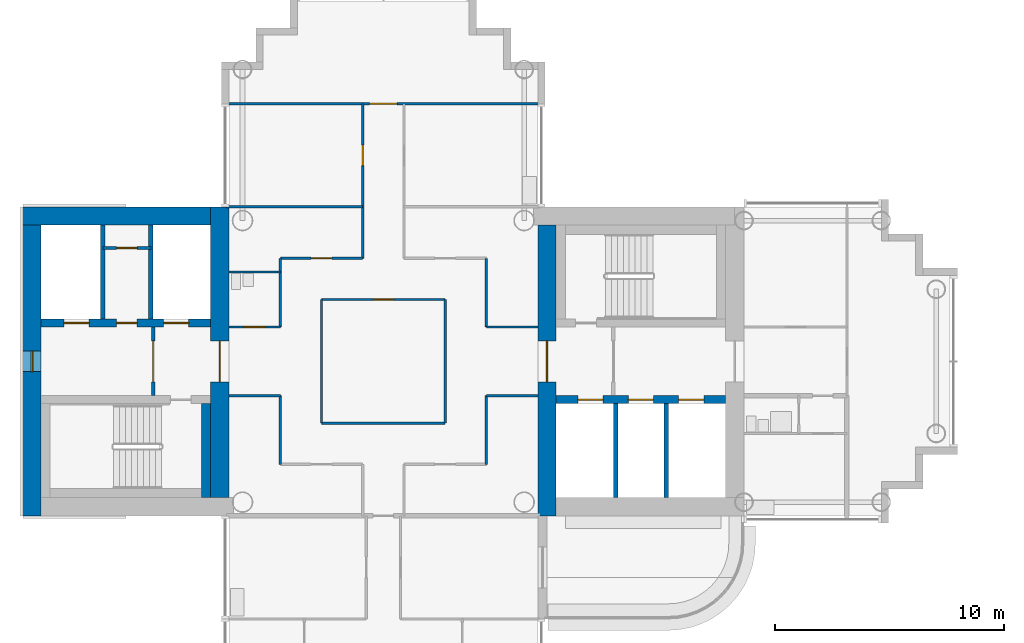
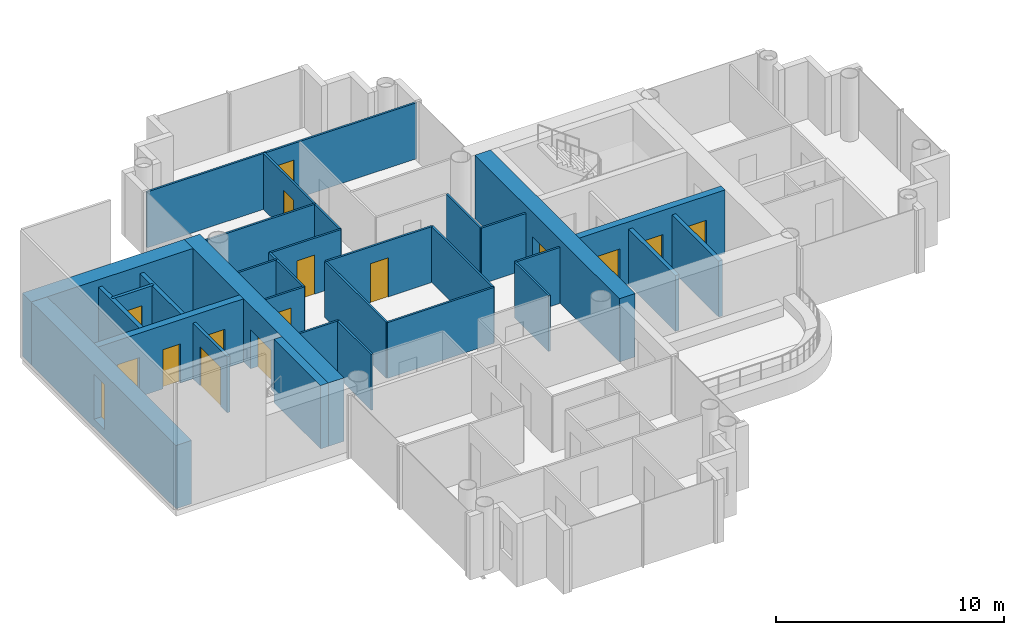
# One storey, part 8 of 19: 30 walls, 15 doors, 1 window, 16 openings.
"""IFC4 building model written with IfcOpenShell, lengths in metres."""

from ifc_helpers import new_model, si_unit, direction, frame, frame_2d, origin, place, context, subcontext, project, spatial, rectangle, extrude, material, layer, layer_set, type_object, element, fill, save


model = new_model("IFC4")

# Units and contexts
model_context = context("Model", 3, precision=1e-05, world=origin(), true_north=direction((0.0, 1.0)))
body_context = subcontext(model_context, "Body", "Model", "MODEL_VIEW")
ifc_project = project(units=[si_unit("LENGTHUNIT", "METRE"), si_unit("AREAUNIT", "SQUARE_METRE"), si_unit("VOLUMEUNIT", "CUBIC_METRE"), si_unit("PLANEANGLEUNIT", "RADIAN"), si_unit("MASSUNIT", "GRAM", prefix="KILO")], contexts=[model_context])

# Site, building, storey
site_placement = place(None, origin())
site = spatial("IfcSite", under=ifc_project, at=site_placement, CompositionType="ELEMENT")
building_placement = place(site_placement, origin())
building = spatial("IfcBuilding", under=site, at=building_placement, Name="Ipe Terrace Towers", CompositionType="ELEMENT")
storey_placement = place(building_placement, frame((0.0, 0.0, 140.5)))
storey = spatial("IfcBuildingStorey", under=building, at=storey_placement, Name="L38", CompositionType="ELEMENT", Elevation=140.5)

# Walls
ifc_material_1 = material(Name="Gypsum board partition", Category="plasterboard")
ifc_layer_1 = layer(ifc_material_1, 0.10009765625)
ifc_layer_set_1 = layer_set([ifc_layer_1], Name="Gypsum board partition 100 mm")
wall_type_1 = type_object("IfcWallType", Name="Gypsum board partition 100 mm", PredefinedType="PARTITIONING", material=ifc_layer_set_1)
for number, where, z_axis, x_axis, name in (
    (1, (-40.5, -4.5, 0.0), (0.0, 0.0, 1.0), (0.0, 1.0, 0.0), "Gypsum board partition T1 L38 W01"),
    (2, (-40.5, 1.5, 0.0), (0.0, 0.0, 1.0), (0.0, 1.0, 0.0), "Gypsum board partition T1 L38 W02"),
):
    element("IfcWall", number, at=place(storey_placement, frame(where, z_axis=z_axis, x_axis=x_axis)), inside=storey, type_object=wall_type_1, Name=name, PredefinedType="PARTITIONING", context=body_context, shape_type="SweptSolid", body=[
        extrude(rectangle(XDim=3.0, YDim=0.10009765625, at=frame_2d((1.5, 0.0))), origin(), (0.0, 0.0, 1.0), 3.0),
    ])
wall_1_placement = place(storey_placement, frame((-38.699951171875, -2.699951171875, 0.0), z_axis=(0.0, 0.0, 1.0), x_axis=(0.0, 1.0, 0.0)))
element("IfcWall", 3, at=wall_1_placement, inside=storey, type_object=wall_type_1, Name="Gypsum board partition T1 L38 W04", PredefinedType="PARTITIONING", context=body_context, shape_type="SweptSolid", body=[
    extrude(rectangle(XDim=5.39990234375, YDim=0.10009765625, at=frame_2d((2.699951171875, 0.0))), origin(), (0.0, 0.0, 1.0), 3.0),
])

# Wall, opening, door
wall_2_placement = place(storey_placement, frame((-36.89990234375, 4.5, 0.0), z_axis=(0.0, 0.0, 1.0), x_axis=(0.0, 1.0, 0.0)))
wall_2 = element("IfcWall", 4, at=wall_2_placement, inside=storey, type_object=wall_type_1, Name="Gypsum board partition T1 L38 W07", PredefinedType="PARTITIONING", context=body_context, shape_type="SweptSolid", body=[
    extrude(rectangle(XDim=6.75, YDim=0.10009765625, at=frame_2d((3.375, 0.0))), origin(), (0.0, 0.0, 1.0), 3.0),
])
opening_1_placement = place(wall_2_placement, frame((4.050048828125, 0.0, 0.0)))
opening_1 = element("IfcOpeningElement", 5, at=opening_1_placement, cuts=wall_2, Name="Opening T1-Z3A-07", PredefinedType="OPENING", context=body_context, shape_type="SweptSolid", body=[
    extrude(rectangle(XDim=0.89990234375, YDim=2.10009765625, at=frame_2d((0.449951171875, 1.050048828125))), frame((0.0, 0.06005859375, 0.0), z_axis=(0.0, -1.0, 0.0), x_axis=(1.0, 0.0, 0.0)), (0.0, 0.0, 1.0), 0.1201171875),
])
ifc_material_2 = material(Name="Timber door leaf", Category="wood")
door_type_1 = type_object("IfcDoorType", Name="Lounge door 900 x 2100", OperationType="NOTDEFINED", PredefinedType="DOOR", material=ifc_material_2)
door_1_placement = place(opening_1_placement, origin())
door_1 = element("IfcDoor", 6, at=door_1_placement, inside=storey, type_object=door_type_1, Name="Lounge door T1-Z3A-07", OperationType="SINGLE_SWING_LEFT", OverallHeight=2.10009765625, OverallWidth=0.89990234375, PredefinedType="DOOR", context=body_context, shape_type="SweptSolid", body=[
    extrude(rectangle(XDim=0.89990234375, YDim=2.10009765625, at=frame_2d((0.449951171875, 1.050048828125))), frame((0.0, 0.02490234375, 0.0), z_axis=(0.0, -1.0, 0.0), x_axis=(1.0, 0.0, 0.0)), (0.0, 0.0, 1.0), 0.050048828125),
])
fill(opening_1, door_1)

# Walls
wall_3_placement = place(storey_placement, frame((-33.300048828125, -2.699951171875, 0.0), z_axis=(0.0, 0.0, 1.0), x_axis=(0.0, 1.0, 0.0)))
element("IfcWall", 7, at=wall_3_placement, inside=storey, type_object=wall_type_1, Name="Gypsum board partition T1 L38 W14", PredefinedType="PARTITIONING", context=body_context, shape_type="SweptSolid", body=[
    extrude(rectangle(XDim=5.39990234375, YDim=0.10009765625, at=frame_2d((2.699951171875, 0.0))), origin(), (0.0, 0.0, 1.0), 3.0),
])
for number, where, z_axis, x_axis, name in (
    (8, (-31.5, -4.5, 0.0), (0.0, 0.0, 1.0), (0.0, 1.0, 0.0), "Gypsum board partition T1 L38 W16"),
    (9, (-31.5, 1.5, 0.0), (0.0, 0.0, 1.0), (0.0, 1.0, 0.0), "Gypsum board partition T1 L38 W17"),
):
    element("IfcWall", number, at=place(storey_placement, frame(where, z_axis=z_axis, x_axis=x_axis)), inside=storey, type_object=wall_type_1, Name=name, PredefinedType="PARTITIONING", context=body_context, shape_type="SweptSolid", body=[
        extrude(rectangle(XDim=3.0, YDim=0.10009765625, at=frame_2d((1.5, 0.0))), origin(), (0.0, 0.0, 1.0), 3.0),
    ])
wall_4_placement = place(storey_placement, frame((-38.699951171875, -2.699951171875, 0.0), z_axis=(0.0, 0.0, 1.0), x_axis=(1.0, 0.0, 0.0)))
element("IfcWall", 10, at=wall_4_placement, inside=storey, type_object=wall_type_1, Name="Gypsum board partition T1 L38 W30", PredefinedType="PARTITIONING", context=body_context, shape_type="SweptSolid", body=[
    extrude(rectangle(XDim=5.39990234375, YDim=0.10009765625, at=frame_2d((2.699951171875, 0.0))), origin(), (0.0, 0.0, 1.0), 3.0),
])
for number, where, z_axis, x_axis, name in (
    (11, (-42.75, -1.5, 0.0), (0.0, 0.0, 1.0), (1.0, 0.0, 0.0), "Gypsum board partition T1 L38 W31"),
    (12, (-31.5, -1.5, 0.0), (0.0, 0.0, 1.0), (1.0, 0.0, 0.0), "Gypsum board partition T1 L38 W32"),
):
    element("IfcWall", number, at=place(storey_placement, frame(where, z_axis=z_axis, x_axis=x_axis)), inside=storey, type_object=wall_type_1, Name=name, PredefinedType="PARTITIONING", context=body_context, shape_type="SweptSolid", body=[
        extrude(rectangle(XDim=2.25, YDim=0.10009765625, at=frame_2d((1.125, 0.0))), origin(), (0.0, 0.0, 1.0), 3.0),
    ])

# Wall, opening, door
wall_5_placement = place(storey_placement, frame((-42.75, 1.5, 0.0), z_axis=(0.0, 0.0, 1.0), x_axis=(1.0, 0.0, 0.0)))
wall_5 = element("IfcWall", 13, at=wall_5_placement, inside=storey, type_object=wall_type_1, Name="Gypsum board partition T1 L38 W34", PredefinedType="PARTITIONING", context=body_context, shape_type="SweptSolid", body=[
    extrude(rectangle(XDim=2.25, YDim=0.10009765625, at=frame_2d((1.125, 0.0))), origin(), (0.0, 0.0, 1.0), 3.0),
])
opening_2_placement = place(wall_5_placement, frame((0.675048828125, 0.0, 0.0)))
opening_2 = element("IfcOpeningElement", 14, at=opening_2_placement, cuts=wall_5, Name="Opening T1-Z3A-02", PredefinedType="OPENING", context=body_context, shape_type="SweptSolid", body=[
    extrude(rectangle(XDim=0.89990234375, YDim=2.10009765625, at=frame_2d((0.449951171875, 1.050048828125))), frame((0.0, 0.06005859375, 0.0), z_axis=(0.0, -1.0, 0.0), x_axis=(1.0, 0.0, 0.0)), (0.0, 0.0, 1.0), 0.1201171875),
])
ifc_material_3 = material(Name="Timber door leaf", Category="wood")
door_type_2 = type_object("IfcDoorType", Name="Bathroom door 900 x 2100", OperationType="NOTDEFINED", PredefinedType="DOOR", material=ifc_material_3)
door_2_placement = place(opening_2_placement, origin())
door_2 = element("IfcDoor", 15, at=door_2_placement, inside=storey, type_object=door_type_2, Name="Bathroom door T1-Z3A-02", OperationType="SINGLE_SWING_LEFT", OverallHeight=2.10009765625, OverallWidth=0.89990234375, PredefinedType="DOOR", context=body_context, shape_type="SweptSolid", body=[
    extrude(rectangle(XDim=0.89990234375, YDim=2.10009765625, at=frame_2d((0.449951171875, 1.050048828125))), frame((0.0, 0.02490234375, 0.0), z_axis=(0.0, -1.0, 0.0), x_axis=(1.0, 0.0, 0.0)), (0.0, 0.0, 1.0), 0.050048828125),
])
fill(opening_2, door_2)

# Wall
wall_6_placement = place(storey_placement, frame((-31.5, 1.5, 0.0), z_axis=(0.0, 0.0, 1.0), x_axis=(1.0, 0.0, 0.0)))
element("IfcWall", 16, at=wall_6_placement, inside=storey, type_object=wall_type_1, Name="Gypsum board partition T1 L38 W35", PredefinedType="PARTITIONING", context=body_context, shape_type="SweptSolid", body=[
    extrude(rectangle(XDim=2.25, YDim=0.10009765625, at=frame_2d((1.125, 0.0))), origin(), (0.0, 0.0, 1.0), 3.0),
])

# Wall, opening, door
wall_7_placement = place(storey_placement, frame((-38.699951171875, 2.699951171875, 0.0), z_axis=(0.0, 0.0, 1.0), x_axis=(1.0, 0.0, 0.0)))
wall_7 = element("IfcWall", 17, at=wall_7_placement, inside=storey, type_object=wall_type_1, Name="Gypsum board partition T1 L38 W37", PredefinedType="PARTITIONING", context=body_context, shape_type="SweptSolid", body=[
    extrude(rectangle(XDim=5.39990234375, YDim=0.10009765625, at=frame_2d((2.699951171875, 0.0))), origin(), (0.0, 0.0, 1.0), 3.0),
])
opening_3_placement = place(wall_7_placement, frame((2.25, 0.0, 0.0)))
opening_3 = element("IfcOpeningElement", 18, at=opening_3_placement, cuts=wall_7, Name="Opening T1-Z3A-01", PredefinedType="OPENING", context=body_context, shape_type="SweptSolid", body=[
    extrude(rectangle(XDim=0.89990234375, YDim=2.10009765625, at=frame_2d((0.449951171875, 1.050048828125))), frame((0.0, 0.06005859375, 0.0), z_axis=(0.0, -1.0, 0.0), x_axis=(1.0, 0.0, 0.0)), (0.0, 0.0, 1.0), 0.1201171875),
])
door_3_placement = place(opening_3_placement, origin())
door_3 = element("IfcDoor", 19, at=door_3_placement, inside=storey, type_object=door_type_1, Name="Lounge door T1-Z3A-01", OperationType="SINGLE_SWING_RIGHT", OverallHeight=2.10009765625, OverallWidth=0.89990234375, PredefinedType="DOOR", context=body_context, shape_type="SweptSolid", body=[
    extrude(rectangle(XDim=0.89990234375, YDim=2.10009765625, at=frame_2d((0.449951171875, 1.050048828125))), frame((0.0, 0.02490234375, 0.0), z_axis=(0.0, -1.0, 0.0), x_axis=(1.0, 0.0, 0.0)), (0.0, 0.0, 1.0), 0.050048828125),
])
fill(opening_3, door_3)

# Wall
wall_8_placement = place(storey_placement, frame((-42.75, 3.89990234375, 0.0), z_axis=(0.0, 0.0, 1.0), x_axis=(1.0, 0.0, 0.0)))
element("IfcWall", 20, at=wall_8_placement, inside=storey, type_object=wall_type_1, Name="Gypsum board partition T1 L38 W38", PredefinedType="PARTITIONING", context=body_context, shape_type="SweptSolid", body=[
    extrude(rectangle(XDim=2.25, YDim=0.10009765625, at=frame_2d((1.125, 0.0))), origin(), (0.0, 0.0, 1.0), 3.0),
])

# Wall, opening, door
wall_9_placement = place(storey_placement, frame((-40.5, 4.5, 0.0), z_axis=(0.0, 0.0, 1.0), x_axis=(1.0, 0.0, 0.0)))
wall_9 = element("IfcWall", 21, at=wall_9_placement, inside=storey, type_object=wall_type_1, Name="Gypsum board partition T1 L38 W39", PredefinedType="PARTITIONING", context=body_context, shape_type="SweptSolid", body=[
    extrude(rectangle(XDim=3.60009765625, YDim=0.10009765625, at=frame_2d((1.800048828125, 0.0))), origin(), (0.0, 0.0, 1.0), 3.0),
])
opening_4_placement = place(wall_9_placement, frame((1.35009765625, 0.0, 0.0)))
opening_4 = element("IfcOpeningElement", 22, at=opening_4_placement, cuts=wall_9, Name="Opening T1-Z3A-04", PredefinedType="OPENING", context=body_context, shape_type="SweptSolid", body=[
    extrude(rectangle(XDim=0.89990234375, YDim=2.10009765625, at=frame_2d((0.449951171875, 1.050048828125))), frame((0.0, 0.06005859375, 0.0), z_axis=(0.0, -1.0, 0.0), x_axis=(1.0, 0.0, 0.0)), (0.0, 0.0, 1.0), 0.1201171875),
])
door_4_placement = place(opening_4_placement, origin())
door_4 = element("IfcDoor", 23, at=door_4_placement, inside=storey, type_object=door_type_1, Name="Lounge door T1-Z3A-04", OperationType="SINGLE_SWING_RIGHT", OverallHeight=2.10009765625, OverallWidth=0.89990234375, PredefinedType="DOOR", context=body_context, shape_type="SweptSolid", body=[
    extrude(rectangle(XDim=0.89990234375, YDim=2.10009765625, at=frame_2d((0.449951171875, 1.050048828125))), frame((0.0, 0.02490234375, 0.0), z_axis=(0.0, -1.0, 0.0), x_axis=(1.0, 0.0, 0.0)), (0.0, 0.0, 1.0), 0.050048828125),
])
fill(opening_4, door_4)

# Wall
wall_10_placement = place(storey_placement, frame((-42.85009765625, 6.75, 0.0), z_axis=(0.0, 0.0, 1.0), x_axis=(1.0, 0.0, 0.0)))
element("IfcWall", 24, at=wall_10_placement, inside=storey, type_object=wall_type_1, Name="Gypsum board partition T1 L38 W41", PredefinedType="PARTITIONING", context=body_context, shape_type="SweptSolid", body=[
    extrude(rectangle(XDim=5.9501953125, YDim=0.10009765625, at=frame_2d((2.97509765625, 0.0))), origin(), (0.0, 0.0, 1.0), 3.0),
])

# Wall, opening, door
wall_11_placement = place(storey_placement, frame((-42.85009765625, 11.25, 0.0), z_axis=(0.0, 0.0, 1.0), x_axis=(1.0, 0.0, 0.0)))
wall_11 = element("IfcWall", 25, at=wall_11_placement, inside=storey, type_object=wall_type_1, Name="Gypsum board partition T1 L38 W43", PredefinedType="PARTITIONING", context=body_context, shape_type="SweptSolid", body=[
    extrude(rectangle(XDim=13.7001953125, YDim=0.10009765625, at=frame_2d((6.85009765625, 0.0))), origin(), (0.0, 0.0, 1.0), 3.0),
])
opening_5_placement = place(wall_11_placement, frame((6.25, 0.0, 0.0)))
opening_5 = element("IfcOpeningElement", 26, at=opening_5_placement, cuts=wall_11, Name="Opening T1-Z3A-09", PredefinedType="OPENING", context=body_context, shape_type="SweptSolid", body=[
    extrude(rectangle(XDim=1.199951171875, YDim=2.10009765625, at=frame_2d((0.60009765625, 1.050048828125))), frame((0.0, 0.06005859375, 0.0), z_axis=(0.0, -1.0, 0.0), x_axis=(1.0, 0.0, 0.0)), (0.0, 0.0, 1.0), 0.1201171875),
])
ifc_material_4 = material(Name="Timber door leaf", Category="wood")
door_type_3 = type_object("IfcDoorType", Name="Lounge door 1200 x 2100", OperationType="NOTDEFINED", PredefinedType="DOOR", material=ifc_material_4)
door_5_placement = place(opening_5_placement, origin())
door_5 = element("IfcDoor", 27, at=door_5_placement, inside=storey, type_object=door_type_3, Name="Lounge door T1-Z3A-09", OperationType="SINGLE_SWING_LEFT", OverallHeight=2.10009765625, OverallWidth=1.199951171875, PredefinedType="DOOR", context=body_context, shape_type="SweptSolid", body=[
    extrude(rectangle(XDim=1.199951171875, YDim=2.10009765625, at=frame_2d((0.60009765625, 1.050048828125))), frame((0.0, 0.02490234375, 0.0), z_axis=(0.0, -1.0, 0.0), x_axis=(1.0, 0.0, 0.0)), (0.0, 0.0, 1.0), 0.050048828125),
])
fill(opening_5, door_5)

ifc_material_5 = material(Name="Gypsum board partition", Category="plasterboard")
ifc_layer_2 = layer(ifc_material_5, 0.14990234375)
ifc_layer_set_2 = layer_set([ifc_layer_2], Name="Gypsum board partition 150 mm")
wall_type_2 = type_object("IfcWallType", Name="Gypsum board partition 150 mm", PredefinedType="PARTITIONING", material=ifc_layer_set_2)
wall_12_placement = place(storey_placement, frame((-46.050048828125, 1.5, 0.0), z_axis=(0.0, 0.0, 1.0), x_axis=(0.0, -1.0, 0.0)))
wall_12 = element("IfcWall", 28, at=wall_12_placement, inside=storey, type_object=wall_type_2, Name="Gypsum board partition T1 L38 t1c2-lobby-wall", PredefinedType="PARTITIONING", context=body_context, shape_type="SweptSolid", body=[
    extrude(rectangle(XDim=3.0, YDim=0.14990234375, at=frame_2d((1.5, 0.0))), origin(), (0.0, 0.0, 1.0), 3.0),
])
opening_6_placement = place(wall_12_placement, frame((0.60009765625, 0.0, 0.0)))
opening_6 = element("IfcOpeningElement", 29, at=opening_6_placement, cuts=wall_12, Name="Opening T1C2-VD", PredefinedType="OPENING", context=body_context, shape_type="SweptSolid", body=[
    extrude(rectangle(XDim=1.800048828125, YDim=2.10009765625, at=frame_2d((0.89990234375, 1.050048828125))), frame((0.0, 0.0849609375, 0.0), z_axis=(0.0, -1.0, 0.0), x_axis=(1.0, 0.0, 0.0)), (0.0, 0.0, 1.0), 0.169921875),
])
ifc_material_6 = material(Name="Fire-rated timber door leaf", Category="wood")
door_type_4 = type_object("IfcDoorType", Name="Lobby door 1800 x 2100 FD60", OperationType="NOTDEFINED", PredefinedType="DOOR", material=ifc_material_6)
door_6_placement = place(opening_6_placement, origin())
door_6 = element("IfcDoor", 30, at=door_6_placement, inside=storey, type_object=door_type_4, Name="Lobby door T1C2-VD", OperationType="SINGLE_SWING_LEFT", OverallHeight=2.10009765625, OverallWidth=1.800048828125, PredefinedType="DOOR", context=body_context, shape_type="SweptSolid", body=[
    extrude(rectangle(XDim=1.800048828125, YDim=2.10009765625, at=frame_2d((0.89990234375, 1.050048828125))), frame((0.0, 0.02490234375, 0.0), z_axis=(0.0, -1.0, 0.0), x_axis=(1.0, 0.0, 0.0)), (0.0, 0.0, 1.0), 0.050048828125),
])
fill(opening_6, door_6)

wall_13_placement = place(storey_placement, frame((-46.14990234375, 4.949951171875, 0.0), z_axis=(0.0, 0.0, 1.0), x_axis=(-1.0, 0.0, 0.0)))
wall_13 = element("IfcWall", 31, at=wall_13_placement, inside=storey, type_object=wall_type_2, Name="Gypsum board partition T1 L38 t1c2-q-back", PredefinedType="PARTITIONING", context=body_context, shape_type="SweptSolid", body=[
    extrude(rectangle(XDim=2.10009765625, YDim=0.14990234375, at=frame_2d((1.050048828125, 0.0))), origin(), (0.0, 0.0, 1.0), 3.0),
])
opening_7_placement = place(wall_13_placement, frame((0.60009765625, 0.0, 0.0)))
opening_7 = element("IfcOpeningElement", 32, at=opening_7_placement, cuts=wall_13, Name="Opening T1C2-RB", PredefinedType="OPENING", context=body_context, shape_type="SweptSolid", body=[
    extrude(rectangle(XDim=0.89990234375, YDim=2.10009765625, at=frame_2d((0.449951171875, 1.050048828125))), frame((0.0, 0.0849609375, 0.0), z_axis=(0.0, -1.0, 0.0), x_axis=(1.0, 0.0, 0.0)), (0.0, 0.0, 1.0), 0.169921875),
])
ifc_material_7 = material(Name="Fire-rated timber door leaf", Category="wood")
door_type_5 = type_object("IfcDoorType", Name="Service door 900 x 2100 FD60", OperationType="NOTDEFINED", PredefinedType="DOOR", material=ifc_material_7)
door_7_placement = place(opening_7_placement, origin())
door_7 = element("IfcDoor", 33, at=door_7_placement, inside=storey, type_object=door_type_5, Name="Service door T1C2-RB", OperationType="SINGLE_SWING_LEFT", OverallHeight=2.10009765625, OverallWidth=0.89990234375, PredefinedType="DOOR", context=body_context, shape_type="SweptSolid", body=[
    extrude(rectangle(XDim=0.89990234375, YDim=2.10009765625, at=frame_2d((0.449951171875, 1.050048828125))), frame((0.0, 0.02490234375, 0.0), z_axis=(0.0, -1.0, 0.0), x_axis=(1.0, 0.0, 0.0)), (0.0, 0.0, 1.0), 0.050048828125),
])
fill(opening_7, door_7)

# Walls
ifc_material_8 = material(Name="Gypsum board party wall", Category="plasterboard")
ifc_layer_3 = layer(ifc_material_8, 0.199951171875)
ifc_layer_set_3 = layer_set([ifc_layer_3], Name="Gypsum board party wall 200 mm")
wall_type_3 = type_object("IfcWallType", Name="Gypsum board party wall 200 mm", PredefinedType="SOLIDWALL", material=ifc_layer_set_3)
for number, where, z_axis, x_axis, name in (
    (34, (-25.85009765625, -5.949951171875, 0.0), (0.0, 0.0, 1.0), (0.0, 1.0, 0.0), "Gypsum board party wall T1 L38 t1c1-shaft-div1"),
    (35, (-23.64990234375, -5.949951171875, 0.0), (0.0, 0.0, 1.0), (0.0, 1.0, 0.0), "Gypsum board party wall T1 L38 t1c1-shaft-div2"),
    (36, (-48.25, 5.949951171875, 0.0), (0.0, 0.0, 1.0), (0.0, -1.0, 0.0), "Gypsum board party wall T1 L38 t1c2-shaft-div2"),
    (37, (-46.14990234375, 5.949951171875, 0.0), (0.0, 0.0, 1.0), (0.0, -1.0, 0.0), "Gypsum board party wall T1 L38 t1c2-shaft-div1"),
):
    element("IfcWall", number, at=place(storey_placement, frame(where, z_axis=z_axis, x_axis=x_axis)), inside=storey, type_object=wall_type_3, Name=name, PredefinedType="SOLIDWALL", context=body_context, shape_type="SweptSolid", body=[
        extrude(rectangle(XDim=4.099853515625, YDim=0.199951171875, at=frame_2d((2.0498046875, 0.0))), origin(), (0.0, 0.0, 1.0), 3.0),
    ])

# Wall, openings, doors
ifc_material_9 = material(Name="Concrete C50/60", Category="concrete")
ifc_layer_4 = layer(ifc_material_9, 0.35009765625)
ifc_layer_set_4 = layer_set([ifc_layer_4], Name="RW350 CORE SPINE WALL 350 C50-60")
wall_type_4 = type_object("IfcWallType", Name="RW350 CORE SPINE WALL 350 C50-60", PredefinedType="SHEAR", material=ifc_layer_set_4)
wall_14_placement = place(storey_placement, frame((-28.449951171875, -1.675048828125, 0.0), z_axis=(0.0, 0.0, 1.0), x_axis=(1.0, 0.0, 0.0)))
wall_14 = element("IfcWall", 38, at=wall_14_placement, inside=storey, type_object=wall_type_4, Name="Core spine wall T1-C1-Z3-SW1", PredefinedType="SHEAR", context=body_context, shape_type="SweptSolid", body=[
    extrude(rectangle(XDim=7.39990234375, YDim=0.35009765625, at=frame_2d((3.699951171875, 0.0))), origin(), (0.0, 0.0, 1.0), 3.39990234375),
])
opening_8_placement = place(wall_14_placement, frame((0.949951171875, 0.0, 0.0)))
opening_8 = element("IfcOpeningElement", 39, at=opening_8_placement, cuts=wall_14, Name="Opening T1C1-LD1", PredefinedType="OPENING", context=body_context, shape_type="SweptSolid", body=[
    extrude(rectangle(XDim=1.10009765625, YDim=2.10009765625, at=frame_2d((0.550048828125, 1.050048828125))), frame((0.0, 0.18505859375, 0.0), z_axis=(0.0, -1.0, 0.0), x_axis=(1.0, 0.0, 0.0)), (0.0, 0.0, 1.0), 0.3701171875),
])
opening_9_placement = place(wall_14_placement, frame((3.14990234375, 0.0, 0.0)))
opening_9 = element("IfcOpeningElement", 40, at=opening_9_placement, cuts=wall_14, Name="Opening T1C1-LD2", PredefinedType="OPENING", context=body_context, shape_type="SweptSolid", body=[
    extrude(rectangle(XDim=1.10009765625, YDim=2.10009765625, at=frame_2d((0.550048828125, 1.050048828125))), frame((0.0, 0.18505859375, 0.0), z_axis=(0.0, -1.0, 0.0), x_axis=(1.0, 0.0, 0.0)), (0.0, 0.0, 1.0), 0.3701171875),
])
opening_10_placement = place(wall_14_placement, frame((5.35009765625, 0.0, 0.0)))
opening_10 = element("IfcOpeningElement", 41, at=opening_10_placement, cuts=wall_14, Name="Opening T1C1-LD3", PredefinedType="OPENING", context=body_context, shape_type="SweptSolid", body=[
    extrude(rectangle(XDim=1.10009765625, YDim=2.10009765625, at=frame_2d((0.550048828125, 1.050048828125))), frame((0.0, 0.18505859375, 0.0), z_axis=(0.0, -1.0, 0.0), x_axis=(1.0, 0.0, 0.0)), (0.0, 0.0, 1.0), 0.3701171875),
])
ifc_material_10 = material(Name="Fire-rated timber door leaf", Category="wood")
door_type_6 = type_object("IfcDoorType", Name="Sliding door 1100 x 2100 FD60", OperationType="SLIDING_TO_LEFT", PredefinedType="DOOR", material=ifc_material_10)
door_8_placement = place(opening_8_placement, origin())
door_8 = element("IfcDoor", 42, at=door_8_placement, inside=storey, type_object=door_type_6, Name="Sliding door T1C1-LD1", OperationType="SLIDING_TO_LEFT", OverallHeight=2.10009765625, OverallWidth=1.10009765625, PredefinedType="DOOR", context=body_context, shape_type="SweptSolid", body=[
    extrude(rectangle(XDim=1.10009765625, YDim=2.10009765625, at=frame_2d((0.550048828125, 1.050048828125))), frame((0.0, 0.02490234375, 0.0), z_axis=(0.0, -1.0, 0.0), x_axis=(1.0, 0.0, 0.0)), (0.0, 0.0, 1.0), 0.050048828125),
])
fill(opening_8, door_8)
door_9_placement = place(opening_9_placement, origin())
door_9 = element("IfcDoor", 43, at=door_9_placement, inside=storey, type_object=door_type_6, Name="Sliding door T1C1-LD2", OperationType="SLIDING_TO_LEFT", OverallHeight=2.10009765625, OverallWidth=1.10009765625, PredefinedType="DOOR", context=body_context, shape_type="SweptSolid", body=[
    extrude(rectangle(XDim=1.10009765625, YDim=2.10009765625, at=frame_2d((0.550048828125, 1.050048828125))), frame((0.0, 0.02490234375, 0.0), z_axis=(0.0, -1.0, 0.0), x_axis=(1.0, 0.0, 0.0)), (0.0, 0.0, 1.0), 0.050048828125),
])
fill(opening_9, door_9)
door_10_placement = place(opening_10_placement, origin())
door_10 = element("IfcDoor", 44, at=door_10_placement, inside=storey, type_object=door_type_6, Name="Sliding door T1C1-LD3", OperationType="SLIDING_TO_LEFT", OverallHeight=2.10009765625, OverallWidth=1.10009765625, PredefinedType="DOOR", context=body_context, shape_type="SweptSolid", body=[
    extrude(rectangle(XDim=1.10009765625, YDim=2.10009765625, at=frame_2d((0.550048828125, 1.050048828125))), frame((0.0, 0.02490234375, 0.0), z_axis=(0.0, -1.0, 0.0), x_axis=(1.0, 0.0, 0.0)), (0.0, 0.0, 1.0), 0.050048828125),
])
fill(opening_10, door_10)

wall_15_placement = place(storey_placement, frame((-50.949951171875, 1.675048828125, 0.0), z_axis=(0.0, 0.0, 1.0), x_axis=(1.0, 0.0, 0.0)))
wall_15 = element("IfcWall", 45, at=wall_15_placement, inside=storey, type_object=wall_type_4, Name="Core spine wall T1-C2-Z3-SW2", PredefinedType="SHEAR", context=body_context, shape_type="SweptSolid", body=[
    extrude(rectangle(XDim=7.39990234375, YDim=0.35009765625, at=frame_2d((3.699951171875, 0.0))), origin(), (0.0, 0.0, 1.0), 3.39990234375),
])
opening_11_placement = place(wall_15_placement, frame((5.35009765625, 0.0, 0.0)))
opening_11 = element("IfcOpeningElement", 46, at=opening_11_placement, cuts=wall_15, Name="Opening T1C2-LD1", PredefinedType="OPENING", context=body_context, shape_type="SweptSolid", body=[
    extrude(rectangle(XDim=1.10009765625, YDim=2.10009765625, at=frame_2d((0.550048828125, 1.050048828125))), frame((0.0, 0.18505859375, 0.0), z_axis=(0.0, -1.0, 0.0), x_axis=(1.0, 0.0, 0.0)), (0.0, 0.0, 1.0), 0.3701171875),
])
opening_12_placement = place(wall_15_placement, frame((1.0, 0.0, 0.0)))
opening_12 = element("IfcOpeningElement", 47, at=opening_12_placement, cuts=wall_15, Name="Opening T1C2-LD3", PredefinedType="OPENING", context=body_context, shape_type="SweptSolid", body=[
    extrude(rectangle(XDim=1.10009765625, YDim=2.10009765625, at=frame_2d((0.550048828125, 1.050048828125))), frame((0.0, 0.18505859375, 0.0), z_axis=(0.0, -1.0, 0.0), x_axis=(1.0, 0.0, 0.0)), (0.0, 0.0, 1.0), 0.3701171875),
])
opening_13_placement = place(wall_15_placement, frame((3.300048828125, 0.0, 0.0)))
opening_13 = element("IfcOpeningElement", 48, at=opening_13_placement, cuts=wall_15, Name="Opening T1C2-R1", PredefinedType="OPENING", context=body_context, shape_type="SweptSolid", body=[
    extrude(rectangle(XDim=0.89990234375, YDim=2.10009765625, at=frame_2d((0.449951171875, 1.050048828125))), frame((0.0, 0.18505859375, 0.0), z_axis=(0.0, -1.0, 0.0), x_axis=(1.0, 0.0, 0.0)), (0.0, 0.0, 1.0), 0.3701171875),
])
door_11_placement = place(opening_11_placement, origin())
door_11 = element("IfcDoor", 49, at=door_11_placement, inside=storey, type_object=door_type_6, Name="Sliding door T1C2-LD1", OperationType="SLIDING_TO_LEFT", OverallHeight=2.10009765625, OverallWidth=1.10009765625, PredefinedType="DOOR", context=body_context, shape_type="SweptSolid", body=[
    extrude(rectangle(XDim=1.10009765625, YDim=2.10009765625, at=frame_2d((0.550048828125, 1.050048828125))), frame((0.0, 0.02490234375, 0.0), z_axis=(0.0, -1.0, 0.0), x_axis=(1.0, 0.0, 0.0)), (0.0, 0.0, 1.0), 0.050048828125),
])
fill(opening_11, door_11)
door_12_placement = place(opening_12_placement, origin())
door_12 = element("IfcDoor", 50, at=door_12_placement, inside=storey, type_object=door_type_6, Name="Sliding door T1C2-LD3", OperationType="SLIDING_TO_LEFT", OverallHeight=2.10009765625, OverallWidth=1.10009765625, PredefinedType="DOOR", context=body_context, shape_type="SweptSolid", body=[
    extrude(rectangle(XDim=1.10009765625, YDim=2.10009765625, at=frame_2d((0.550048828125, 1.050048828125))), frame((0.0, 0.02490234375, 0.0), z_axis=(0.0, -1.0, 0.0), x_axis=(1.0, 0.0, 0.0)), (0.0, 0.0, 1.0), 0.050048828125),
])
fill(opening_12, door_12)
ifc_material_11 = material(Name="Fire-rated timber door leaf", Category="wood")
door_type_7 = type_object("IfcDoorType", Name="Store door 900 x 2100 FD30S", OperationType="NOTDEFINED", PredefinedType="DOOR", material=ifc_material_11)
door_13_placement = place(opening_13_placement, origin())
door_13 = element("IfcDoor", 51, at=door_13_placement, inside=storey, type_object=door_type_7, Name="Store door T1C2-R1", OperationType="SINGLE_SWING_LEFT", OverallHeight=2.10009765625, OverallWidth=0.89990234375, PredefinedType="DOOR", context=body_context, shape_type="SweptSolid", body=[
    extrude(rectangle(XDim=0.89990234375, YDim=2.10009765625, at=frame_2d((0.449951171875, 1.050048828125))), frame((0.0, 0.02490234375, 0.0), z_axis=(0.0, -1.0, 0.0), x_axis=(1.0, 0.0, 0.0)), (0.0, 0.0, 1.0), 0.050048828125),
])
fill(opening_13, door_13)

# Wall
ifc_material_12 = material(Name="Concrete C50/60", Category="concrete")
ifc_layer_5 = layer(ifc_material_12, 0.39990234375)
ifc_layer_set_5 = layer_set([ifc_layer_5], Name="RW400 CORE INFILL WALL 400 C50-60")
wall_type_5 = type_object("IfcWallType", Name="RW400 CORE INFILL WALL 400 C50-60", PredefinedType="SHEAR", material=ifc_layer_set_5)
wall_16_placement = place(storey_placement, frame((-43.75, -1.85009765625, 0.0), z_axis=(0.0, 0.0, 1.0), x_axis=(0.0, -1.0, 0.0)))
element("IfcWall", 52, at=wall_16_placement, inside=storey, type_object=wall_type_5, Name="Core infill wall T1-C2-near", PredefinedType="SHEAR", context=body_context, shape_type="SweptSolid", body=[
    extrude(rectangle(XDim=4.099853515625, YDim=0.39990234375, at=frame_2d((2.0498046875, 0.0))), origin(), (0.0, 0.0, 1.0), 3.39990234375),
])

# Wall, opening, door
ifc_material_13 = material(Name="Concrete C50/60", Category="concrete")
ifc_layer_6 = layer(ifc_material_13, 0.800048828125)
ifc_layer_set_6 = layer_set([ifc_layer_6], Name="RW800 CORE WALL 800 C50-60")
wall_type_6 = type_object("IfcWallType", Name="RW800 CORE WALL 800 C50-60", PredefinedType="SHEAR", material=ifc_layer_set_6)
wall_17_placement = place(storey_placement, frame((-28.85009765625, 5.949951171875, 0.0), z_axis=(0.0, 0.0, 1.0), x_axis=(0.0, -1.0, 0.0)))
wall_17 = element("IfcWall", 53, at=wall_17_placement, inside=storey, type_object=wall_type_6, Name="Core wall T1-C1-Z3-W04", PredefinedType="SHEAR", context=body_context, shape_type="SweptSolid", body=[
    extrude(rectangle(XDim=12.699951171875, YDim=0.800048828125, at=frame_2d((6.35009765625, 0.0))), origin(), (0.0, 0.0, 1.0), 3.39990234375),
])
opening_14_placement = place(wall_17_placement, frame((5.050048828125, 0.0, 0.0)))
opening_14 = element("IfcOpeningElement", 54, at=opening_14_placement, cuts=wall_17, Name="Opening T1C1-ND", PredefinedType="OPENING", context=body_context, shape_type="SweptSolid", body=[
    extrude(rectangle(XDim=1.800048828125, YDim=2.10009765625, at=frame_2d((0.89990234375, 1.050048828125))), frame((0.0, 0.41015625, 0.0), z_axis=(0.0, -1.0, 0.0), x_axis=(1.0, 0.0, 0.0)), (0.0, 0.0, 1.0), 0.820068359375),
])
ifc_material_14 = material(Name="Fire-rated timber door leaf", Category="wood")
door_type_8 = type_object("IfcDoorType", Name="Fire door 1800 x 2100 FD30S", OperationType="NOTDEFINED", PredefinedType="DOOR", material=ifc_material_14)
door_14_placement = place(opening_14_placement, origin())
door_14 = element("IfcDoor", 55, at=door_14_placement, inside=storey, type_object=door_type_8, Name="Fire door T1C1-ND", OperationType="SINGLE_SWING_LEFT", OverallHeight=2.10009765625, OverallWidth=1.800048828125, PredefinedType="DOOR", context=body_context, shape_type="SweptSolid", body=[
    extrude(rectangle(XDim=1.800048828125, YDim=2.10009765625, at=frame_2d((0.89990234375, 1.050048828125))), frame((0.0, 0.02490234375, 0.0), z_axis=(0.0, -1.0, 0.0), x_axis=(1.0, 0.0, 0.0)), (0.0, 0.0, 1.0), 0.050048828125),
])
fill(opening_14, door_14)

wall_18_placement = place(storey_placement, frame((-43.14990234375, -5.949951171875, 0.0), z_axis=(0.0, 0.0, 1.0), x_axis=(0.0, 1.0, 0.0)))
wall_18 = element("IfcWall", 56, at=wall_18_placement, inside=storey, type_object=wall_type_6, Name="Core wall T1-C2-Z3-W02", PredefinedType="SHEAR", context=body_context, shape_type="SweptSolid", body=[
    extrude(rectangle(XDim=12.699951171875, YDim=0.800048828125, at=frame_2d((6.35009765625, 0.0))), origin(), (0.0, 0.0, 1.0), 3.39990234375),
])
opening_15_placement = place(wall_18_placement, frame((5.050048828125, 0.0, 0.0)))
opening_15 = element("IfcOpeningElement", 57, at=opening_15_placement, cuts=wall_18, Name="Opening T1C2-ND", PredefinedType="OPENING", context=body_context, shape_type="SweptSolid", body=[
    extrude(rectangle(XDim=1.800048828125, YDim=2.10009765625, at=frame_2d((0.89990234375, 1.050048828125))), frame((0.0, 0.41015625, 0.0), z_axis=(0.0, -1.0, 0.0), x_axis=(1.0, 0.0, 0.0)), (0.0, 0.0, 1.0), 0.820068359375),
])
door_15_placement = place(opening_15_placement, origin())
door_15 = element("IfcDoor", 58, at=door_15_placement, inside=storey, type_object=door_type_8, Name="Fire door T1C2-ND", OperationType="SINGLE_SWING_LEFT", OverallHeight=2.10009765625, OverallWidth=1.800048828125, PredefinedType="DOOR", context=body_context, shape_type="SweptSolid", body=[
    extrude(rectangle(XDim=1.800048828125, YDim=2.10009765625, at=frame_2d((0.89990234375, 1.050048828125))), frame((0.0, 0.02490234375, 0.0), z_axis=(0.0, -1.0, 0.0), x_axis=(1.0, 0.0, 0.0)), (0.0, 0.0, 1.0), 0.050048828125),
])
fill(opening_15, door_15)

# Wall
wall_19_placement = place(storey_placement, frame((-43.550048828125, 6.35009765625, 0.0), z_axis=(0.0, 0.0, 1.0), x_axis=(-1.0, 0.0, 0.0)))
element("IfcWall", 59, at=wall_19_placement, inside=storey, type_object=wall_type_6, Name="Core wall T1-C2-Z3-W03", PredefinedType="SHEAR", context=body_context, shape_type="SweptSolid", body=[
    extrude(rectangle(XDim=8.199951171875, YDim=0.800048828125, at=frame_2d((4.10009765625, 0.0))), origin(), (0.0, 0.0, 1.0), 3.39990234375),
])

# Wall, opening, window
wall_20_placement = place(storey_placement, frame((-51.35009765625, 5.949951171875, 0.0), z_axis=(0.0, 0.0, 1.0), x_axis=(0.0, -1.0, 0.0)))
wall_20 = element("IfcWall", 60, at=wall_20_placement, inside=storey, type_object=wall_type_6, Name="Core wall T1-C2-Z3-W04", PredefinedType="SHEAR", context=body_context, shape_type="SweptSolid", body=[
    extrude(rectangle(XDim=12.699951171875, YDim=0.800048828125, at=frame_2d((6.35009765625, 0.0))), origin(), (0.0, 0.0, 1.0), 3.39990234375),
])
opening_16_placement = place(wall_20_placement, frame((5.5, 0.0, 0.449951171875)))
opening_16 = element("IfcOpeningElement", 61, at=opening_16_placement, cuts=wall_20, Name="Opening T1-C2-W-01-L38", PredefinedType="OPENING", context=body_context, shape_type="SweptSolid", body=[
    extrude(rectangle(XDim=0.89990234375, YDim=2.39990234375, at=frame_2d((0.449951171875, 1.199951171875))), frame((0.0, 0.41015625, 0.0), z_axis=(0.0, -1.0, 0.0), x_axis=(1.0, 0.0, 0.0)), (0.0, 0.0, 1.0), 0.820068359375),
])
ifc_material_15 = material(Name="Fire-resistant glazing EI 60", Category="glass")
window_type = type_object("IfcWindowType", Name="CORRIDOR END SLOT WINDOW 900 x 2400 EI 60", PartitioningType="SINGLE_PANEL", PredefinedType="WINDOW", material=ifc_material_15)
window_placement = place(opening_16_placement, origin())
window = element("IfcWindow", 62, at=window_placement, inside=storey, type_object=window_type, Name="W-01 window", OverallHeight=2.39990234375, OverallWidth=0.89990234375, PartitioningType="SINGLE_PANEL", PredefinedType="WINDOW", context=body_context, shape_type="SweptSolid", body=[
    extrude(rectangle(XDim=0.89990234375, YDim=2.39990234375, at=frame_2d((0.449951171875, 1.199951171875))), frame((0.0, 0.030029296875, 0.0), z_axis=(0.0, -1.0, 0.0), x_axis=(1.0, 0.0, 0.0)), (0.0, 0.0, 1.0), 0.06005859375),
])
fill(opening_16, window)

save(model, "model.ifc")
